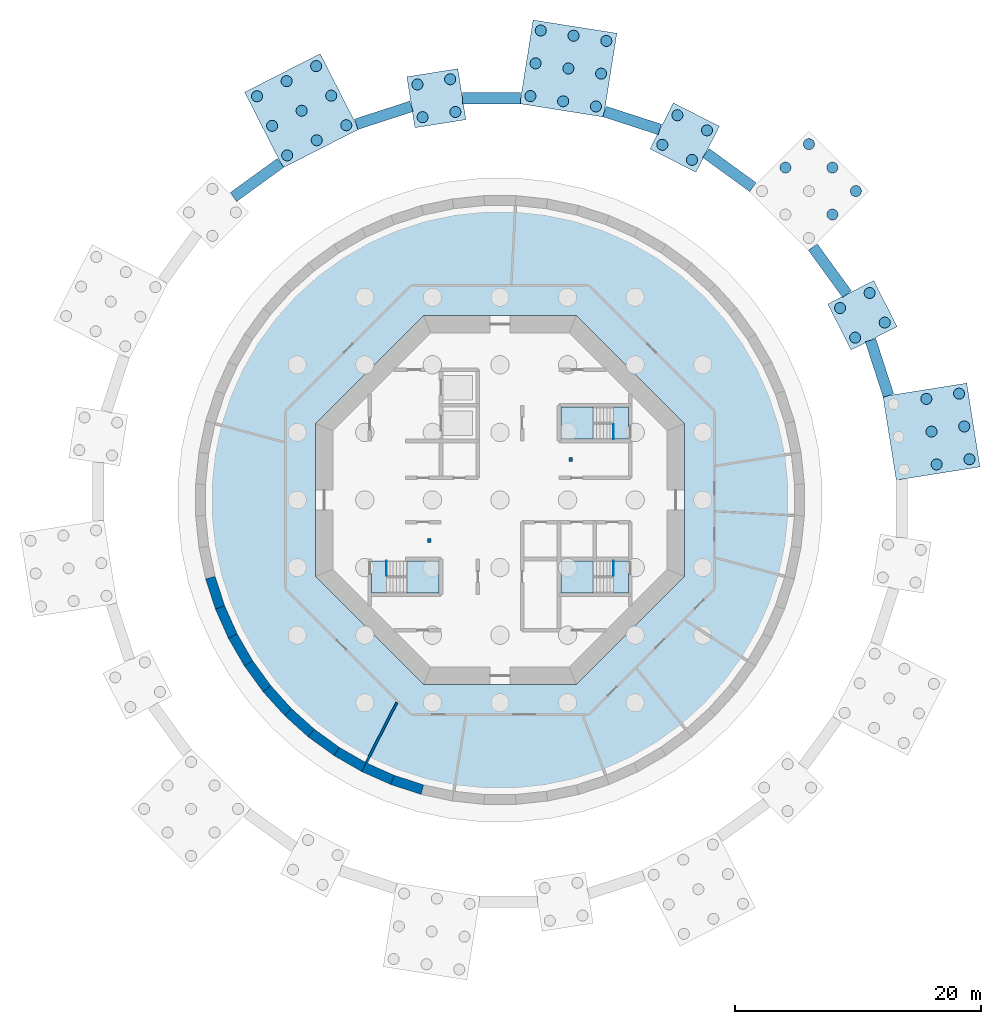
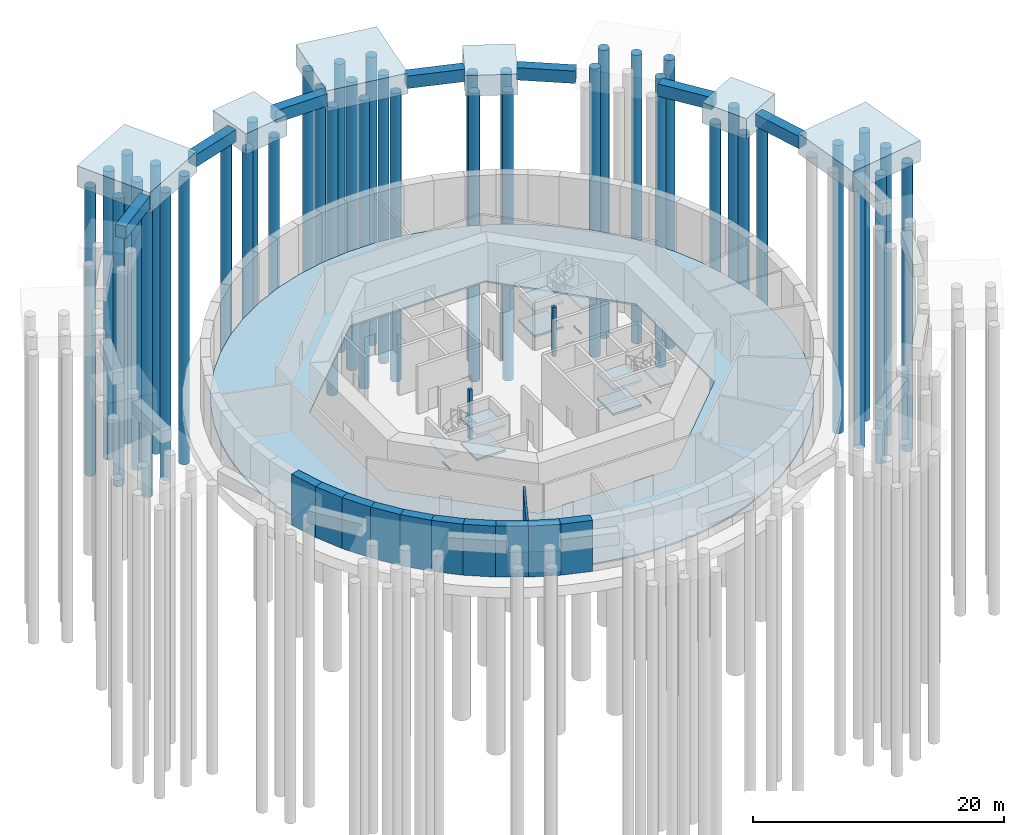
# One storey, part 2 of 8: 41 piles, 13 footings, 13 slabs, 11 walls, 2 columns, 3 elements without a shape of their own.
"""IFC4 building model written with IfcOpenShell, lengths in metres."""

import ifcopenshell
import ifcopenshell.guid

model = None  # the IFC model being written
_history = None  # IfcOwnerHistory: only IFC2X3 demands one
_inside = {}  # id of a spatial element -> (the spatial element, [elements in it])
_under = {}  # id of a project, library or spatial element -> (it, [spatial elements below it])
_declared = {}  # id of a project -> (the project, [libraries it declares])
_typed = {}  # id of a type object -> (the type object, [elements of that type])
_made_of = {}  # id of a material, layer set ... -> (it, [elements and type objects made of it])


def new_model(schema):
    """Start an empty IFC model of exactly this schema.

    Asked for "IFC4X3", IfcOpenShell would pick the latest addendum, in which some entities
    have other attributes; the version numbers below select the first issue.
    IFC2X3 requires an IfcOwnerHistory on every rooted entity: one is made here for all.
    """
    global model, _history
    if schema == "IFC4X3":
        model = ifcopenshell.file(schema_version=(4, 3, 0, 0))
    else:
        model = ifcopenshell.file(schema=schema)
    _inside.clear()
    _under.clear()
    _declared.clear()
    _typed.clear()
    _made_of.clear()
    _history = None
    if model.schema == "IFC2X3":
        org = make("IfcOrganization", Name="unknown")
        user = make(
            "IfcPersonAndOrganization",
            ThePerson=make("IfcPerson", FamilyName="unknown"),
            TheOrganization=org,
        )
        app = make(
            "IfcApplication",
            ApplicationDeveloper=org,
            Version="unknown",
            ApplicationFullName="unknown",
            ApplicationIdentifier="unknown",
        )
        _history = make(
            "IfcOwnerHistory",
            OwningUser=user,
            OwningApplication=app,
            ChangeAction="ADDED",
            CreationDate=0,
        )
    return model


def make(cls, **values):
    """One entity of the class cls with the attributes given. An attribute that is None is left unset."""
    return model.create_entity(
        cls, **{name: value for name, value in values.items() if value is not None}
    )


def rooted(cls, **values):
    """An entity with a GlobalId (a new one), such as an element, a storey or a relation."""
    return make(cls, GlobalId=ifcopenshell.guid.new(), OwnerHistory=_history, **values)


def si_unit(unit_type, name, prefix=None):
    """IfcSIUnit, for example si_unit("LENGTHUNIT", "METRE", prefix="MILLI")."""
    return make("IfcSIUnit", UnitType=unit_type, Prefix=prefix, Name=name)


def assignment(units):
    """IfcUnitAssignment: the units of a project."""
    return None if units is None else make("IfcUnitAssignment", Units=units)


def point(xyz):
    """IfcCartesianPoint."""
    return None if xyz is None else make("IfcCartesianPoint", Coordinates=xyz)


def direction(xyz):
    """IfcDirection."""
    return None if xyz is None else make("IfcDirection", DirectionRatios=xyz)


def frame(location, z_axis=None, x_axis=None):
    """IfcAxis2Placement3D, a coordinate frame: its origin and axes. An axis left out is left unset."""
    return make(
        "IfcAxis2Placement3D",
        Location=point(location),
        Axis=direction(z_axis),
        RefDirection=direction(x_axis),
    )


def frame_2d(location, x_axis=None):
    """IfcAxis2Placement2D, a coordinate frame in the plane: its origin and x axis."""
    return make(
        "IfcAxis2Placement2D", Location=point(location), RefDirection=direction(x_axis)
    )


def origin():
    """The frame at (0, 0, 0) with its axes left unset."""
    return frame((0.0, 0.0, 0.0))


def origin_2d():
    """The frame at (0, 0) in the plane with its x axis left unset."""
    return frame_2d((0.0, 0.0))


def place(relative_to, where):
    """IfcLocalPlacement: puts the frame where relative to a parent placement (None: the world)."""
    return make(
        "IfcLocalPlacement", PlacementRelTo=relative_to, RelativePlacement=where
    )


def context(
    kind, dimensions, precision=None, world=None, true_north=None, identifier=None
):
    """IfcGeometricRepresentationContext, for example the 3D "Model" context."""
    return make(
        "IfcGeometricRepresentationContext",
        ContextIdentifier=identifier,
        ContextType=kind,
        CoordinateSpaceDimension=dimensions,
        Precision=precision,
        WorldCoordinateSystem=world,
        TrueNorth=true_north,
    )


def subcontext(parent, identifier, kind, view, scale=None):
    """IfcGeometricRepresentationSubContext, for example "Body" below "Model"."""
    return make(
        "IfcGeometricRepresentationSubContext",
        ContextIdentifier=identifier,
        ContextType=kind,
        ParentContext=parent,
        TargetScale=scale,
        TargetView=view,
    )


def project(units=None, contexts=None):
    """IfcProject with its units and contexts."""
    return rooted(
        "IfcProject",
        Name="project",
        RepresentationContexts=contexts,
        UnitsInContext=assignment(units),
    )


def spatial(cls, under=None, at=None, **own):
    """A site, building, storey or space (cls), placed at a placement, below another one or the project."""
    s = rooted(cls, ObjectPlacement=at, **own)
    if under is not None:
        _under.setdefault(under.id(), (under, []))[1].append(s)
    return s


def polyline(points):
    """IfcPolyline through the points."""
    return make("IfcPolyline", Points=[point(p) for p in points])


def profile(cls, at=None, kind="AREA", **sizes):
    """A parametric profile (cls). Its sizes go by their IFC names, for example OverallWidth=200.0."""
    return make(cls, ProfileType=kind, Position=at, **sizes)


def rectangle(**sizes):
    """IfcRectangleProfileDef."""
    return profile("IfcRectangleProfileDef", **sizes)


def circle(**sizes):
    """IfcCircleProfileDef."""
    return profile("IfcCircleProfileDef", **sizes)


def outline(outer, holes=None, kind="AREA"):
    """IfcArbitraryClosedProfileDef: a profile drawn as a closed curve; with holes, ...WithVoids."""
    if holes is None:
        return make("IfcArbitraryClosedProfileDef", ProfileType=kind, OuterCurve=outer)
    return make(
        "IfcArbitraryProfileDefWithVoids",
        ProfileType=kind,
        OuterCurve=outer,
        InnerCurves=holes,
    )


def extrude(swept, where, along, depth):
    """IfcExtrudedAreaSolid: the profile swept, set in the frame where, extruded along a direction by depth."""
    return make(
        "IfcExtrudedAreaSolid",
        SweptArea=swept,
        Position=where,
        ExtrudedDirection=direction(along),
        Depth=depth,
    )


def shape(context_of_items, identifier, shape_type, items):
    """IfcShapeRepresentation: the items that make up one representation, for example the "Body"."""
    return make(
        "IfcShapeRepresentation",
        ContextOfItems=context_of_items,
        RepresentationIdentifier=identifier,
        RepresentationType=shape_type,
        Items=items,
    )


def material(Name=None, Category=None):
    """IfcMaterial."""
    return make("IfcMaterial", Name=Name, Category=Category)


def layer(
    of_material, thickness, ventilated=None, Name=None, Category=None, Priority=None
):
    """IfcMaterialLayer: one layer of a wall or slab, of a material (None: an air gap)."""
    return make(
        "IfcMaterialLayer",
        Material=of_material,
        LayerThickness=thickness,
        IsVentilated=ventilated,
        Name=Name,
        Category=Category,
        Priority=Priority,
    )


def layer_set(layers, Name=None):
    """IfcMaterialLayerSet."""
    return make("IfcMaterialLayerSet", MaterialLayers=layers, LayerSetName=Name)


def material_profile(
    of_material, cross_section, Name=None, Category=None, Priority=None
):
    """IfcMaterialProfile: a cross section and its material."""
    return make(
        "IfcMaterialProfile",
        Name=Name,
        Material=of_material,
        Profile=cross_section,
        Priority=Priority,
        Category=Category,
    )


def profile_set(profiles, Name=None, composite=None):
    """IfcMaterialProfileSet."""
    return make(
        "IfcMaterialProfileSet",
        Name=Name,
        MaterialProfiles=profiles,
        CompositeProfile=composite,
    )


def made_of(thing, what):
    """Note that an element or type object is made of a material, layer set ...; save() writes the relation."""
    if what is not None:
        _made_of.setdefault(what.id(), (what, []))[1].append(thing)
    return thing


def type_object(cls, material=None, **own):
    """A type object (cls), such as IfcWallType, which elements share."""
    return made_of(rooted(cls, **own), material)


def element(
    cls,
    number,
    at=None,
    inside=None,
    cuts=None,
    type_object=None,
    material=None,
    context=None,
    identifier="Body",
    shape_type=None,
    held_by="IfcProductDefinitionShape",
    body=None,
    shapes=None,
    **own,
):
    """One element of the class cls, such as IfcWall. Its Tag is "e" and its number.

    at: its placement. inside: the storey or other place that contains it. cuts: it is an
    opening in that element (IfcRelVoidsElement). A single representation is given by context,
    identifier, shape_type and body (its items); several are given by shapes. held_by: the class
    of the entity that holds the representations. save() writes the other relations.
    """
    e = rooted(cls, Tag="e%d" % number, ObjectPlacement=at, **own)
    if body is not None:
        shapes = [shape(context, identifier, shape_type, body)]
    if shapes is not None:
        e.Representation = make(held_by, Representations=shapes)
    if inside is not None:
        _inside.setdefault(inside.id(), (inside, []))[1].append(e)
    if cuts is not None:
        rooted(
            "IfcRelVoidsElement", RelatingBuildingElement=cuts, RelatedOpeningElement=e
        )
    if type_object is not None:
        _typed.setdefault(type_object.id(), (type_object, []))[1].append(e)
    return made_of(e, material)


def aggregate(whole, parts):
    """IfcRelAggregates: a whole, such as a stair, and the parts it consists of."""
    return rooted("IfcRelAggregates", RelatingObject=whole, RelatedObjects=parts)


def save(model, path):
    """Write the relations noted so far, then the file.

    IfcRelAggregates (storeys below a building ...), IfcRelContainedInSpatialStructure (elements
    in a storey), IfcRelDefinesByType, IfcRelAssociatesMaterial and IfcRelDeclares: one each for
    every whole, place, type object, material and project.
    """
    for whole, parts in _under.values():
        aggregate(whole, parts)
    for where, things in _inside.values():
        rooted(
            "IfcRelContainedInSpatialStructure",
            RelatedElements=things,
            RelatingStructure=where,
        )
    for kind, things in _typed.values():
        rooted("IfcRelDefinesByType", RelatedObjects=things, RelatingType=kind)
    for what, things in _made_of.values():
        rooted("IfcRelAssociatesMaterial", RelatedObjects=things, RelatingMaterial=what)
    for by, libraries in _declared.values():
        rooted("IfcRelDeclares", RelatingContext=by, RelatedDefinitions=libraries)
    model.write(path)


model = new_model("IFC4")

# Units and contexts
model_context = context("Model", 3, precision=1e-05, world=origin(), true_north=direction((0.0, 1.0)))
body_context = subcontext(model_context, "Body", "Model", "MODEL_VIEW")
ifc_project = project(units=[si_unit("LENGTHUNIT", "METRE"), si_unit("AREAUNIT", "SQUARE_METRE"), si_unit("VOLUMEUNIT", "CUBIC_METRE"), si_unit("PLANEANGLEUNIT", "RADIAN"), si_unit("MASSUNIT", "GRAM", prefix="KILO")], contexts=[model_context])

# Site, building, storey
site_placement = place(None, origin())
site = spatial("IfcSite", under=ifc_project, at=site_placement, CompositionType="ELEMENT")
building_placement = place(site_placement, origin())
building = spatial("IfcBuilding", under=site, at=building_placement, Name="Entoto Ring Tower", CompositionType="ELEMENT")
storey_placement = place(building_placement, frame((0.0, 0.0, -9.60009765625)))
storey = spatial("IfcBuildingStorey", under=building, at=storey_placement, Name="B2", CompositionType="ELEMENT", Elevation=-9.60009765625)

# Piles
ifc_material_1 = material(Name="Concrete C35/45", Category="concrete")
ifc_material_profile_1 = material_profile(ifc_material_1, circle(Radius=0.449951171875, at=origin_2d()), Name="Bored pile 900 mm")
ifc_profile_set_1 = profile_set([ifc_material_profile_1], Name="Concrete C35/45")
pile_type = type_object("IfcPileType", Name="Bored pile 900 mm", PredefinedType="BORED", material=ifc_profile_set_1)
for number, where, z_axis, x_axis, name in (
    (1, (125.53466796875, 82.89453125, 7.60009765625), (0.0, 0.0, -1.0), (1.0, 0.0, 0.0), "Pile R01 04"),
    (2, (125.1123046875, 85.561279296875, 7.60009765625), (0.0, 0.0, -1.0), (1.0, 0.0, 0.0), "Pile R01 05"),
    (3, (124.68994140625, 88.22802734375, 7.60009765625), (0.0, 0.0, -1.0), (1.0, 0.0, 0.0), "Pile R01 06"),
    (4, (128.201416015625, 83.31689453125, 7.60009765625), (0.0, 0.0, -1.0), (1.0, 0.0, 0.0), "Pile R01 07"),
    (5, (127.779052734375, 85.983642578125, 7.60009765625), (0.0, 0.0, -1.0), (1.0, 0.0, 0.0), "Pile R01 08"),
    (6, (127.356689453125, 88.650390625, 7.60009765625), (0.0, 0.0, -1.0), (1.0, 0.0, 0.0), "Pile R01 09"),
    (7, (118.90234375, 93.21142578125, 7.60009765625), (0.0, 0.0, -1.0), (1.0, 0.0, 0.0), "Pile R02 01"),
    (8, (117.676513671875, 95.616943359375, 7.60009765625), (0.0, 0.0, -1.0), (1.0, 0.0, 0.0), "Pile R02 02"),
    (9, (121.30810546875, 94.43701171875, 7.60009765625), (0.0, 0.0, -1.0), (1.0, 0.0, 0.0), "Pile R02 03"),
    (10, (120.082275390625, 96.8427734375, 7.60009765625), (0.0, 0.0, -1.0), (1.0, 0.0, 0.0), "Pile R02 04"),
    (11, (117.046875, 103.228515625, 7.60009765625), (0.0, 0.0, -1.0), (1.0, 0.0, 0.0), "Pile R03 04"),
    (12, (113.228515625, 107.046875, 7.60009765625), (0.0, 0.0, -1.0), (1.0, 0.0, 0.0), "Pile R03 06"),
    (13, (118.9560546875, 105.1376953125, 7.60009765625), (0.0, 0.0, -1.0), (1.0, 0.0, 0.0), "Pile R03 07"),
    (14, (117.046875, 107.046875, 7.60009765625), (0.0, 0.0, -1.0), (1.0, 0.0, 0.0), "Pile R03 08"),
    (15, (115.1376953125, 108.9560546875, 7.60009765625), (0.0, 0.0, -1.0), (1.0, 0.0, 0.0), "Pile R03 09"),
    (16, (105.616943359375, 107.676513671875, 7.60009765625), (0.0, 0.0, -1.0), (1.0, 0.0, 0.0), "Pile R04 01"),
    (17, (103.21142578125, 108.90234375, 7.60009765625), (0.0, 0.0, -1.0), (1.0, 0.0, 0.0), "Pile R04 02"),
    (18, (106.8427734375, 110.082275390625, 7.60009765625), (0.0, 0.0, -1.0), (1.0, 0.0, 0.0), "Pile R04 03"),
    (19, (104.43701171875, 111.30810546875, 7.60009765625), (0.0, 0.0, -1.0), (1.0, 0.0, 0.0), "Pile R04 04"),
    (20, (97.8056640625, 112.023193359375, 7.60009765625), (0.0, 0.0, -1.0), (1.0, 0.0, 0.0), "Pile R05 01"),
    (21, (95.138916015625, 112.445556640625, 7.60009765625), (0.0, 0.0, -1.0), (1.0, 0.0, 0.0), "Pile R05 02"),
    (22, (92.47216796875, 112.867919921875, 7.60009765625), (0.0, 0.0, -1.0), (1.0, 0.0, 0.0), "Pile R05 03"),
    (23, (98.22802734375, 114.68994140625, 7.60009765625), (0.0, 0.0, -1.0), (1.0, 0.0, 0.0), "Pile R05 04"),
    (24, (95.561279296875, 115.1123046875, 7.60009765625), (0.0, 0.0, -1.0), (1.0, 0.0, 0.0), "Pile R05 05"),
    (25, (92.89453125, 115.53466796875, 7.60009765625), (0.0, 0.0, -1.0), (1.0, 0.0, 0.0), "Pile R05 06"),
    (26, (98.650390625, 117.356689453125, 7.60009765625), (0.0, 0.0, -1.0), (1.0, 0.0, 0.0), "Pile R05 07"),
    (27, (95.983642578125, 117.779052734375, 7.60009765625), (0.0, 0.0, -1.0), (1.0, 0.0, 0.0), "Pile R05 08"),
    (28, (93.31689453125, 118.201416015625, 7.60009765625), (0.0, 0.0, -1.0), (1.0, 0.0, 0.0), "Pile R05 09"),
    (29, (86.36669921875, 111.5703125, 7.60009765625), (0.0, 0.0, -1.0), (1.0, 0.0, 0.0), "Pile R06 01"),
    (30, (83.69970703125, 111.14794921875, 7.60009765625), (0.0, 0.0, -1.0), (1.0, 0.0, 0.0), "Pile R06 02"),
    (31, (85.944091796875, 114.237060546875, 7.60009765625), (0.0, 0.0, -1.0), (1.0, 0.0, 0.0), "Pile R06 03"),
    (32, (83.27734375, 113.814697265625, 7.60009765625), (0.0, 0.0, -1.0), (1.0, 0.0, 0.0), "Pile R06 04"),
    (33, (77.4921875, 110.495361328125, 7.60009765625), (0.0, 0.0, -1.0), (1.0, 0.0, 0.0), "Pile R07 01"),
    (34, (75.08642578125, 109.26953125, 7.60009765625), (0.0, 0.0, -1.0), (1.0, 0.0, 0.0), "Pile R07 02"),
    (35, (72.6806640625, 108.043701171875, 7.60009765625), (0.0, 0.0, -1.0), (1.0, 0.0, 0.0), "Pile R07 03"),
    (36, (76.266357421875, 112.901123046875, 7.60009765625), (0.0, 0.0, -1.0), (1.0, 0.0, 0.0), "Pile R07 04"),
    (37, (73.860595703125, 111.67529296875, 7.60009765625), (0.0, 0.0, -1.0), (1.0, 0.0, 0.0), "Pile R07 05"),
    (38, (71.454833984375, 110.449462890625, 7.60009765625), (0.0, 0.0, -1.0), (1.0, 0.0, 0.0), "Pile R07 06"),
    (39, (75.04052734375, 115.306884765625, 7.60009765625), (0.0, 0.0, -1.0), (1.0, 0.0, 0.0), "Pile R07 07"),
    (40, (72.634765625, 114.0810546875, 7.60009765625), (0.0, 0.0, -1.0), (1.0, 0.0, 0.0), "Pile R07 08"),
    (41, (70.229248046875, 112.855224609375, 7.60009765625), (0.0, 0.0, -1.0), (1.0, 0.0, 0.0), "Pile R07 09"),
):
    element("IfcPile", number, at=place(storey_placement, frame(where, z_axis=z_axis, x_axis=x_axis)), inside=storey, type_object=pile_type, Name=name, PredefinedType="BORED", context=body_context, shape_type="SweptSolid", body=[
        extrude(circle(Radius=0.449951171875, at=origin_2d()), origin(), (0.0, 0.0, 1.0), 28.0),
    ])

# Footings
ifc_material_2 = material(Name="Concrete C40/50", Category="concrete")
ifc_material_profile_2 = material_profile(ifc_material_2, rectangle(XDim=0.89990234375, YDim=1.199951171875, at=origin_2d()), Name="Ground tie beam 900 x 1200")
ifc_profile_set_2 = profile_set([ifc_material_profile_2], Name="Concrete C40/50")
footing_type_1 = type_object("IfcFootingType", Name="Ground tie beam 900 x 1200", PredefinedType="FOOTING_BEAM", material=ifc_profile_set_2)
footing_1_placement = place(storey_placement, frame((121.613037109375, 88.5, 8.7001953125), z_axis=(-0.308997495923, 0.951062851505, 0.0), x_axis=(-0.951062851505, -0.308997495923, 0.0)))
element("IfcFooting", 42, at=footing_1_placement, inside=storey, type_object=footing_type_1, Name="Ground tie beam 01", PredefinedType="FOOTING_BEAM", context=body_context, shape_type="SweptSolid", body=[
    extrude(rectangle(XDim=0.89990234375, YDim=1.199951171875, at=origin_2d()), origin(), (0.0, 0.0, 1.0), 4.736572265625),
])
for number, where, z_axis, x_axis, name in (
    (43, (118.24267578125, 96.747314453125, 8.7001953125), (-0.587825343812, 0.808987864663, 0.0), (-0.808987864663, -0.587825343812, 0.0), "Ground tie beam 02"),
    (44, (110.579345703125, 105.458251953125, 8.7001953125), (-0.808987864663, 0.587825343812, 0.0), (-0.587825343812, -0.808987864663, 0.0), "Ground tie beam 03"),
):
    element("IfcFooting", number, at=place(storey_placement, frame(where, z_axis=z_axis, x_axis=x_axis)), inside=storey, type_object=footing_type_1, Name=name, PredefinedType="FOOTING_BEAM", context=body_context, shape_type="SweptSolid", body=[
        extrude(rectangle(XDim=0.89990234375, YDim=1.199951171875, at=origin_2d()), origin(), (0.0, 0.0, 1.0), 4.73681640625),
    ])
footing_2_placement = place(storey_placement, frame((103.0048828125, 110.1494140625, 8.7001953125), z_axis=(-0.951062851505, 0.308997495923, 0.0), x_axis=(-0.308997495923, -0.951062851505, 0.0)))
element("IfcFooting", 45, at=footing_2_placement, inside=storey, type_object=footing_type_1, Name="Ground tie beam 04", PredefinedType="FOOTING_BEAM", context=body_context, shape_type="SweptSolid", body=[
    extrude(rectangle(XDim=0.89990234375, YDim=1.199951171875, at=origin_2d()), origin(), (0.0, 0.0, 1.0), 4.736572265625),
])
footing_3_placement = place(storey_placement, frame((91.68505859375, 112.6923828125, 8.7001953125), z_axis=(-1.0, 0.0, 0.0), x_axis=(0.0, -1.0, 0.0)))
element("IfcFooting", 46, at=footing_3_placement, inside=storey, type_object=footing_type_1, Name="Ground tie beam 05", PredefinedType="FOOTING_BEAM", context=body_context, shape_type="SweptSolid", body=[
    extrude(rectangle(XDim=0.89990234375, YDim=1.199951171875, at=origin_2d()), origin(), (0.0, 0.0, 1.0), 4.73681640625),
])
for number, where, z_axis, x_axis, name in (
    (47, (82.7998046875, 112.035400390625, 8.7001953125), (-0.951062851505, -0.308997495923, 0.0), (0.308997495923, -0.951062851505, 0.0), "Ground tie beam 06"),
    (48, (72.14697265625, 107.439208984375, 8.7001953125), (-0.809012374703, -0.587791610673, 0.0), (0.587791610673, -0.809012374703, 0.0), "Ground tie beam 07"),
):
    element("IfcFooting", number, at=place(storey_placement, frame(where, z_axis=z_axis, x_axis=x_axis)), inside=storey, type_object=footing_type_1, Name=name, PredefinedType="FOOTING_BEAM", context=body_context, shape_type="SweptSolid", body=[
        extrude(rectangle(XDim=0.89990234375, YDim=1.199951171875, at=origin_2d()), origin(), (0.0, 0.0, 1.0), 4.736572265625),
    ])
ifc_material_3 = material(Name="Concrete C35/45", Category="concrete")
ifc_layer_1 = layer(ifc_material_3, 2.0)
ifc_layer_set_1 = layer_set([ifc_layer_1], Name="Concrete C35/45")
footing_type_2 = type_object("IfcFootingType", Name="Pile cap four piles", PredefinedType="PILE_CAP", material=ifc_layer_set_1)
for number, where, z_axis, x_axis, name in (
    (49, (119.492431640625, 95.027099609375, 7.60009765625), (0.0, 0.0, 1.0), (0.891006524188, 0.45399049974, 0.0), "Pile cap R02"),
    (50, (105.027099609375, 109.492431640625, 7.60009765625), (0.0, 0.0, 1.0), (0.45399049974, 0.891006524188, 0.0), "Pile cap R04"),
    (51, (84.822021484375, 112.6923828125, 7.60009765625), (0.0, 0.0, 1.0), (-0.15643446504, 0.987688340595, 0.0), "Pile cap R06"),
):
    element("IfcFooting", number, at=place(storey_placement, frame(where, z_axis=z_axis, x_axis=x_axis)), inside=storey, type_object=footing_type_2, Name=name, PredefinedType="PILE_CAP", context=body_context, shape_type="SweptSolid", body=[
        extrude(rectangle(XDim=4.199951171875, YDim=4.199951171875, at=origin_2d()), origin(), (0.0, 0.0, 1.0), 2.0),
    ])
ifc_material_4 = material(Name="Concrete C35/45", Category="concrete")
ifc_layer_2 = layer(ifc_material_4, 2.0)
ifc_layer_set_2 = layer_set([ifc_layer_2], Name="Concrete C35/45")
footing_type_3 = type_object("IfcFootingType", Name="Pile cap nine piles", PredefinedType="PILE_CAP", material=ifc_layer_set_2)
for number, where, z_axis, x_axis, name in (
    (52, (125.1123046875, 85.561279296875, 7.60009765625), (0.0, 0.0, 1.0), (0.987688340595, 0.15643446504, 0.0), "Pile cap R01"),
    (53, (95.561279296875, 115.1123046875, 7.60009765625), (0.0, 0.0, 1.0), (0.15643446504, 0.987688340595, 0.0), "Pile cap R05"),
    (54, (73.860595703125, 111.67529296875, 7.60009765625), (0.0, 0.0, 1.0), (-0.45399049974, 0.891006524188, 0.0), "Pile cap R07"),
):
    element("IfcFooting", number, at=place(storey_placement, frame(where, z_axis=z_axis, x_axis=x_axis)), inside=storey, type_object=footing_type_3, Name=name, PredefinedType="PILE_CAP", context=body_context, shape_type="SweptSolid", body=[
        extrude(rectangle(XDim=6.89990234375, YDim=6.89990234375, at=origin_2d()), origin(), (0.0, 0.0, 1.0), 2.0),
    ])

# Columns
ifc_material_5 = material(Name="Concrete C40/50", Category="concrete")
ifc_material_profile_3 = material_profile(ifc_material_5, rectangle(XDim=0.300048828125, YDim=0.300048828125, at=origin_2d()), Name="Lift pit pier 300 x 300 reinforced concrete C40/50")
ifc_profile_set_3 = profile_set([ifc_material_profile_3], Name="Concrete C40/50")
column_type = type_object("IfcColumnType", Name="Lift pit pier 300 x 300 reinforced concrete C40/50", PredefinedType="COLUMN", material=ifc_profile_set_3)
for number, where, z_axis, x_axis, name in (
    (55, (95.75, 83.300048828125, 0.0), (0.0, 0.0, 1.0), (1.0, 0.0, 0.0), "PIT PIER LB1-LR"),
    (56, (84.25, 76.699951171875, 0.0), (0.0, 0.0, 1.0), (1.0, 0.0, 0.0), "PIT PIER LB6-LR"),
):
    element("IfcColumn", number, at=place(storey_placement, frame(where, z_axis=z_axis, x_axis=x_axis)), inside=storey, type_object=column_type, Name=name, PredefinedType="COLUMN", context=body_context, shape_type="SweptSolid", body=[
        extrude(rectangle(XDim=0.300048828125, YDim=0.300048828125, at=origin_2d()), origin(), (0.0, 0.0, 1.0), 4.800048828125),
    ])

# Slabs
ifc_material_6 = material(Name="Concrete C40/50", Category="concrete")
ifc_layer_3 = layer(ifc_material_6, 0.14990234375)
ifc_layer_set_3 = layer_set([ifc_layer_3], Name="Concrete C40/50")
slab_type_1 = type_object("IfcSlabType", Name="Core floor slab 150 mm reinforced concrete C40/50", PredefinedType="FLOOR", material=ifc_layer_set_3)
slab_1_placement = place(storey_placement, frame((0.0, 0.0, -0.14990234375)))
element("IfcSlab", 57, at=slab_1_placement, inside=storey, type_object=slab_type_1, Name="Stair foot ST1", PredefinedType="FLOOR", context=body_context, shape_type="SweptSolid", body=[
    extrude(outline(polyline([(99.199951171875, 84.949951171875), (99.25, 84.949951171875), (99.25, 86.14990234375), (99.199951171875, 86.14990234375), (99.199951171875, 84.949951171875)])), origin(), (0.0, 0.0, 1.0), 0.14990234375),
])
slab_2_placement = place(storey_placement, frame((0.0, 0.0, -0.14990234375)))
element("IfcSlab", 58, at=slab_2_placement, inside=storey, type_object=slab_type_1, Name="Stair foot ST2", PredefinedType="FLOOR", context=body_context, shape_type="SweptSolid", body=[
    extrude(outline(polyline([(80.75, 73.85009765625), (80.800048828125, 73.85009765625), (80.800048828125, 75.050048828125), (80.75, 75.050048828125), (80.75, 73.85009765625)])), origin(), (0.0, 0.0, 1.0), 0.14990234375),
])
slab_3_placement = place(storey_placement, frame((0.0, 0.0, -0.14990234375)))
element("IfcSlab", 59, at=slab_3_placement, inside=storey, type_object=slab_type_1, Name="Stair foot ST3", PredefinedType="FLOOR", context=body_context, shape_type="SweptSolid", body=[
    extrude(outline(polyline([(99.199951171875, 73.85009765625), (99.25, 73.85009765625), (99.25, 75.050048828125), (99.199951171875, 75.050048828125), (99.199951171875, 73.85009765625)])), origin(), (0.0, 0.0, 1.0), 0.14990234375),
])
ifc_material_7 = material(Name="Concrete C30/37", Category="concrete")
ifc_layer_4 = layer(ifc_material_7, 0.14990234375)
ifc_layer_set_4 = layer_set([ifc_layer_4], Name="Concrete C30/37")
slab_type_2 = type_object("IfcSlabType", Name="Ground slab 150 mm", PredefinedType="BASESLAB", material=ifc_layer_set_4)
slab_4_placement = place(storey_placement, frame((0.0, 0.0, -0.14990234375)))
element("IfcSlab", 60, at=slab_4_placement, inside=storey, type_object=slab_type_2, Name="Floor slab B2", PredefinedType="BASESLAB", context=body_context, shape_type="SweptSolid", body=[
    extrude(outline(polyline([(113.70458984375, 83.75439453125), (113.18212890625, 86.211669921875), (112.406005859375, 88.600830078125), (111.38427734375, 90.895751953125), (110.128173828125, 93.0712890625), (108.651611328125, 95.103759765625), (106.970458984375, 96.970458984375), (105.103759765625, 98.651611328125), (103.0712890625, 100.128173828125), (100.895751953125, 101.38427734375), (98.600830078125, 102.406005859375), (96.211669921875, 103.18212890625), (93.75439453125, 103.70458984375), (91.256103515625, 103.967041015625), (88.743896484375, 103.967041015625), (86.24560546875, 103.70458984375), (83.788330078125, 103.18212890625), (81.399169921875, 102.406005859375), (79.104248046875, 101.38427734375), (76.9287109375, 100.128173828125), (74.896240234375, 98.651611328125), (73.029541015625, 96.970458984375), (71.348388671875, 95.103759765625), (69.871826171875, 93.0712890625), (68.61572265625, 90.895751953125), (67.593994140625, 88.600830078125), (66.81787109375, 86.211669921875), (66.29541015625, 83.75439453125), (66.032958984375, 81.256103515625), (66.032958984375, 78.743896484375), (66.29541015625, 76.24560546875), (66.81787109375, 73.788330078125), (67.593994140625, 71.399169921875), (68.61572265625, 69.104248046875), (69.871826171875, 66.9287109375), (71.348388671875, 64.896240234375), (73.029541015625, 63.029541015625), (74.896240234375, 61.348388671875), (76.9287109375, 59.871826171875), (79.104248046875, 58.61572265625), (81.399169921875, 57.593994140625), (83.788330078125, 56.81787109375), (86.24560546875, 56.29541015625), (88.743896484375, 56.032958984375), (91.256103515625, 56.032958984375), (93.75439453125, 56.29541015625), (96.211669921875, 56.81787109375), (98.600830078125, 57.593994140625), (100.895751953125, 58.61572265625), (103.0712890625, 59.871826171875), (105.103759765625, 61.348388671875), (106.970458984375, 63.029541015625), (108.651611328125, 64.896240234375), (110.128173828125, 66.9287109375), (111.38427734375, 69.104248046875), (112.406005859375, 71.399169921875), (113.18212890625, 73.788330078125), (113.70458984375, 76.24560546875), (113.967041015625, 78.743896484375), (113.967041015625, 81.256103515625), (113.70458984375, 83.75439453125)]), holes=[polyline([(105.0, 73.786865234375), (105.0, 86.213134765625), (96.213134765625, 95.0), (83.786865234375, 95.0), (75.0, 86.213134765625), (75.0, 73.786865234375), (83.786865234375, 65.0), (96.213134765625, 65.0), (105.0, 73.786865234375)])]), origin(), (0.0, 0.0, 1.0), 0.14990234375),
])

# Stair, slabs
ifc_material_8 = material(Name="Concrete C40/50", Category="concrete")
stair_type = type_object("IfcStairType", Name="Exit stair 1200 mm dog-leg reinforced concrete", PredefinedType="HALF_TURN_STAIR", material=ifc_material_8)
stair_1_placement = place(storey_placement, origin())
stair_1 = element("IfcStair", 61, at=stair_1_placement, inside=storey, type_object=stair_type, Name="Exit stair 1", PredefinedType="HALF_TURN_STAIR")
ifc_material_9 = material(Name="Concrete C40/50", Category="concrete")
ifc_layer_5 = layer(ifc_material_9, 0.199951171875)
ifc_layer_set_5 = layer_set([ifc_layer_5], Name="Concrete C40/50")
slab_type_3 = type_object("IfcSlabType", Name="Stair landing 200 mm reinforced concrete", PredefinedType="LANDING", material=ifc_layer_set_5)
slab_5_placement = place(storey_placement, frame((0.0, 0.0, 1.0)))
slab_5 = element("IfcSlab", 62, at=slab_5_placement, type_object=slab_type_3, Name="ST1 landing 1", PredefinedType="LANDING", context=body_context, shape_type="SweptSolid", body=[
    extrude(outline(polyline([(94.949951171875, 84.949951171875), (97.570068359375, 84.949951171875), (97.570068359375, 87.550048828125), (94.949951171875, 87.550048828125), (94.949951171875, 84.949951171875)])), origin(), (0.0, 0.0, 1.0), 0.2001953125),
])
slab_6_placement = place(storey_placement, frame((0.0, 0.0, 2.2001953125)))
slab_6 = element("IfcSlab", 63, at=slab_6_placement, type_object=slab_type_3, Name="ST1 landing 2", PredefinedType="LANDING", context=body_context, shape_type="SweptSolid", body=[
    extrude(outline(polyline([(99.25, 84.949951171875), (100.449951171875, 84.949951171875), (100.449951171875, 87.550048828125), (99.25, 87.550048828125), (99.25, 84.949951171875)])), origin(), (0.0, 0.0, 1.0), 0.199951171875),
])
slab_7_placement = place(storey_placement, frame((0.0, 0.0, 3.400146484375)))
slab_7 = element("IfcSlab", 64, at=slab_7_placement, type_object=slab_type_3, Name="ST1 landing 3", PredefinedType="LANDING", context=body_context, shape_type="SweptSolid", body=[
    extrude(outline(polyline([(94.949951171875, 84.949951171875), (97.570068359375, 84.949951171875), (97.570068359375, 87.550048828125), (94.949951171875, 87.550048828125), (94.949951171875, 84.949951171875)])), origin(), (0.0, 0.0, 1.0), 0.199951171875),
])
aggregate(stair_1, [slab_5, slab_6, slab_7])

stair_2_placement = place(storey_placement, origin())
stair_2 = element("IfcStair", 65, at=stair_2_placement, inside=storey, type_object=stair_type, Name="Exit stair 2", PredefinedType="HALF_TURN_STAIR")
slab_8_placement = place(storey_placement, frame((0.0, 0.0, 1.0)))
slab_8 = element("IfcSlab", 66, at=slab_8_placement, type_object=slab_type_3, Name="ST2 landing 1", PredefinedType="LANDING", context=body_context, shape_type="SweptSolid", body=[
    extrude(outline(polyline([(82.429931640625, 72.449951171875), (85.050048828125, 72.449951171875), (85.050048828125, 75.050048828125), (82.429931640625, 75.050048828125), (82.429931640625, 72.449951171875)])), origin(), (0.0, 0.0, 1.0), 0.2001953125),
])
slab_9_placement = place(storey_placement, frame((0.0, 0.0, 2.2001953125)))
slab_9 = element("IfcSlab", 67, at=slab_9_placement, type_object=slab_type_3, Name="ST2 landing 2", PredefinedType="LANDING", context=body_context, shape_type="SweptSolid", body=[
    extrude(outline(polyline([(79.550048828125, 72.449951171875), (80.75, 72.449951171875), (80.75, 75.050048828125), (79.550048828125, 75.050048828125), (79.550048828125, 72.449951171875)])), origin(), (0.0, 0.0, 1.0), 0.199951171875),
])
slab_10_placement = place(storey_placement, frame((0.0, 0.0, 3.400146484375)))
slab_10 = element("IfcSlab", 68, at=slab_10_placement, type_object=slab_type_3, Name="ST2 landing 3", PredefinedType="LANDING", context=body_context, shape_type="SweptSolid", body=[
    extrude(outline(polyline([(82.429931640625, 72.449951171875), (85.050048828125, 72.449951171875), (85.050048828125, 75.050048828125), (82.429931640625, 75.050048828125), (82.429931640625, 72.449951171875)])), origin(), (0.0, 0.0, 1.0), 0.199951171875),
])
aggregate(stair_2, [slab_8, slab_9, slab_10])

stair_3_placement = place(storey_placement, origin())
stair_3 = element("IfcStair", 69, at=stair_3_placement, inside=storey, type_object=stair_type, Name="Exit stair 3", PredefinedType="HALF_TURN_STAIR")
slab_11_placement = place(storey_placement, frame((0.0, 0.0, 1.0)))
slab_11 = element("IfcSlab", 70, at=slab_11_placement, type_object=slab_type_3, Name="ST3 landing 1", PredefinedType="LANDING", context=body_context, shape_type="SweptSolid", body=[
    extrude(outline(polyline([(94.949951171875, 72.449951171875), (97.570068359375, 72.449951171875), (97.570068359375, 75.050048828125), (94.949951171875, 75.050048828125), (94.949951171875, 72.449951171875)])), origin(), (0.0, 0.0, 1.0), 0.2001953125),
])
slab_12_placement = place(storey_placement, frame((0.0, 0.0, 2.2001953125)))
slab_12 = element("IfcSlab", 71, at=slab_12_placement, type_object=slab_type_3, Name="ST3 landing 2", PredefinedType="LANDING", context=body_context, shape_type="SweptSolid", body=[
    extrude(outline(polyline([(99.25, 72.449951171875), (100.449951171875, 72.449951171875), (100.449951171875, 75.050048828125), (99.25, 75.050048828125), (99.25, 72.449951171875)])), origin(), (0.0, 0.0, 1.0), 0.199951171875),
])
slab_13_placement = place(storey_placement, frame((0.0, 0.0, 3.400146484375)))
slab_13 = element("IfcSlab", 72, at=slab_13_placement, type_object=slab_type_3, Name="ST3 landing 3", PredefinedType="LANDING", context=body_context, shape_type="SweptSolid", body=[
    extrude(outline(polyline([(94.949951171875, 72.449951171875), (97.570068359375, 72.449951171875), (97.570068359375, 75.050048828125), (94.949951171875, 75.050048828125), (94.949951171875, 72.449951171875)])), origin(), (0.0, 0.0, 1.0), 0.199951171875),
])
aggregate(stair_3, [slab_11, slab_12, slab_13])

# Walls
ifc_material_10 = material(Name="Concrete C20/25", Category="concrete")
ifc_layer_6 = layer(ifc_material_10, 0.199951171875)
ifc_layer_set_6 = layer_set([ifc_layer_6], Name="Concrete C20/25")
wall_type_1 = type_object("IfcWallType", Name="Plant room wall 200 mm two-hour concrete, 4250 mm high", PredefinedType="PARTITIONING", material=ifc_layer_set_6)
wall_placement = place(storey_placement, frame((79.1064453125, 58.620361328125, 0.0), z_axis=(0.0, 0.0, 1.0), x_axis=(0.454005628165, 0.890998815709, 0.0)))
element("IfcWall", 73, at=wall_placement, inside=storey, type_object=wall_type_1, Name="partition-B2-017", PredefinedType="PARTITIONING", context=body_context, shape_type="SweptSolid", body=[
    extrude(rectangle(XDim=5.496337890625, YDim=0.199951171875, at=frame_2d((2.748046875, 0.0))), origin(), (0.0, 0.0, 1.0), 4.25),
])
ifc_material_11 = material(Name="Concrete C40/50", Category="concrete")
ifc_layer_7 = layer(ifc_material_11, 0.800048828125)
ifc_layer_set_7 = layer_set([ifc_layer_7], Name="Concrete C40/50")
wall_type_2 = type_object("IfcWallType", Name="Retaining wall 800 mm lower basement", PredefinedType="SOLIDWALL", material=ifc_layer_set_7)
for number, where, z_axis, x_axis, name in (
    (74, (66.430908203125, 73.6845703125, -0.14990234375), (0.0, 0.0, 1.0), (0.30904932669, -0.951046010282, 0.0), "Retaining wall B2 32"),
    (75, (67.22021484375, 71.255615234375, -0.14990234375), (0.0, 0.0, 1.0), (0.406732610778, -0.913547252927, 0.0), "Retaining wall B2 33"),
    (76, (68.259033203125, 68.92236328125, -0.14990234375), (0.0, 0.0, 1.0), (0.499943114462, -0.866058244174, 0.0), "Retaining wall B2 34"),
    (77, (69.535888671875, 66.71044921875, -0.14990234375), (0.0, 0.0, 1.0), (0.587802181756, -0.809004694129, 0.0), "Retaining wall B2 35"),
):
    element("IfcWall", number, at=place(storey_placement, frame(where, z_axis=z_axis, x_axis=x_axis)), inside=storey, type_object=wall_type_2, Name=name, PredefinedType="SOLIDWALL", context=body_context, shape_type="SweptSolid", body=[
        extrude(outline(polyline([(-0.02099609375, -0.39990234375), (2.574951171875, -0.39990234375), (2.532958984375, 0.39990234375), (0.02099609375, 0.39990234375), (-0.02099609375, -0.39990234375)])), origin(), (0.0, 0.0, 1.0), 4.949951171875),
    ])
for number, where, z_axis, x_axis, name in (
    (78, (71.037109375, 64.644287109375, -0.14990234375), (0.0, 0.0, 1.0), (0.669096744895, -0.74317531308, 0.0), "Retaining wall B2 36"),
    (79, (72.74609375, 62.74609375, -0.14990234375), (0.0, 0.0, 1.0), (0.74317531308, -0.669096744895, 0.0), "Retaining wall B2 37"),
):
    element("IfcWall", number, at=place(storey_placement, frame(where, z_axis=z_axis, x_axis=x_axis)), inside=storey, type_object=wall_type_2, Name=name, PredefinedType="SOLIDWALL", context=body_context, shape_type="SweptSolid", body=[
        extrude(outline(polyline([(-0.02099609375, -0.39990234375), (2.5751953125, -0.39990234375), (2.533203125, 0.39990234375), (0.02099609375, 0.39990234375), (-0.02099609375, -0.39990234375)])), origin(), (0.0, 0.0, 1.0), 4.949951171875),
    ])
for number, where, z_axis, x_axis, name in (
    (80, (74.644287109375, 61.037109375, -0.14990234375), (0.0, 0.0, 1.0), (0.809004694129, -0.587802181756, 0.0), "Retaining wall B2 38"),
    (81, (76.71044921875, 59.535888671875, -0.14990234375), (0.0, 0.0, 1.0), (0.866058244174, -0.499943114462, 0.0), "Retaining wall B2 39"),
    (82, (78.92236328125, 58.259033203125, -0.14990234375), (0.0, 0.0, 1.0), (0.913547252927, -0.406732610778, 0.0), "Retaining wall B2 40"),
    (83, (81.255615234375, 57.22021484375, -0.14990234375), (0.0, 0.0, 1.0), (0.951046010282, -0.30904932669, 0.0), "Retaining wall B2 41"),
):
    element("IfcWall", number, at=place(storey_placement, frame(where, z_axis=z_axis, x_axis=x_axis)), inside=storey, type_object=wall_type_2, Name=name, PredefinedType="SOLIDWALL", context=body_context, shape_type="SweptSolid", body=[
        extrude(outline(polyline([(-0.02099609375, -0.39990234375), (2.574951171875, -0.39990234375), (2.532958984375, 0.39990234375), (0.02099609375, 0.39990234375), (-0.02099609375, -0.39990234375)])), origin(), (0.0, 0.0, 1.0), 4.949951171875),
    ])

save(model, "model.ifc")
